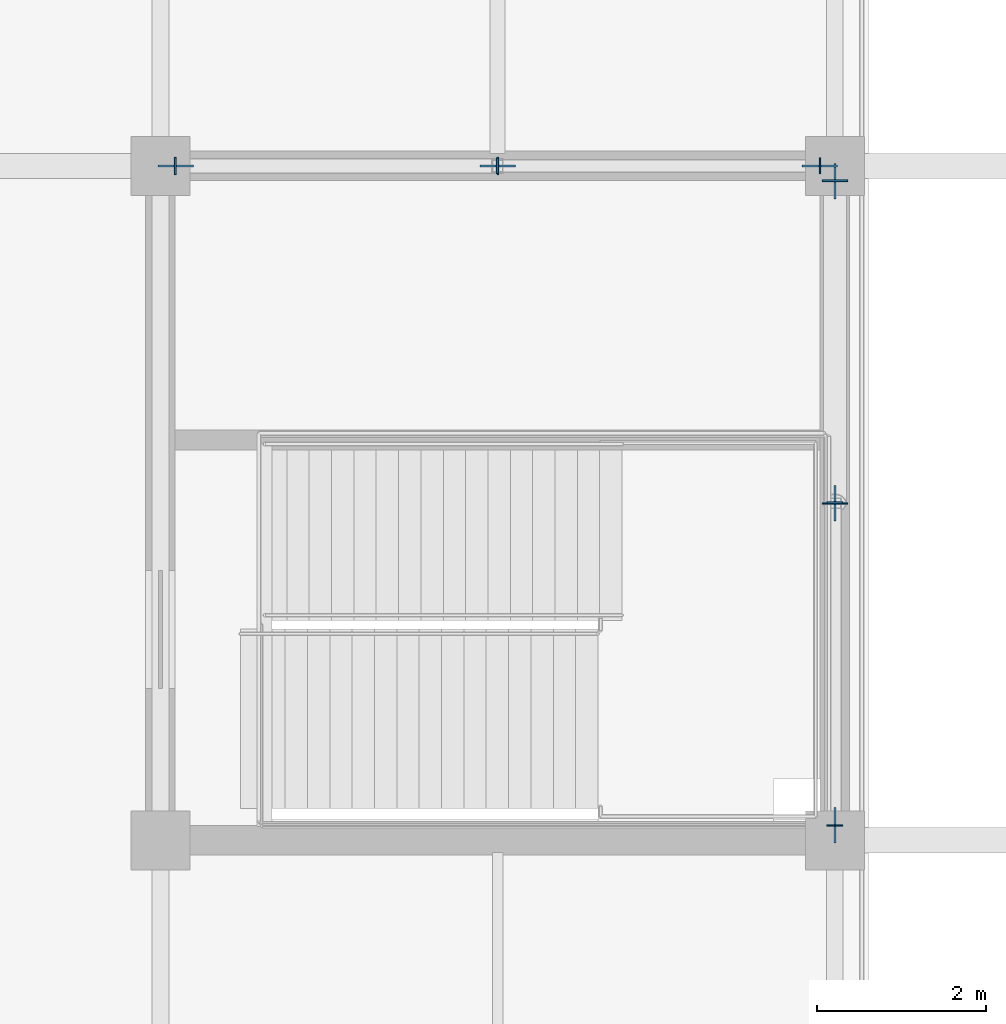
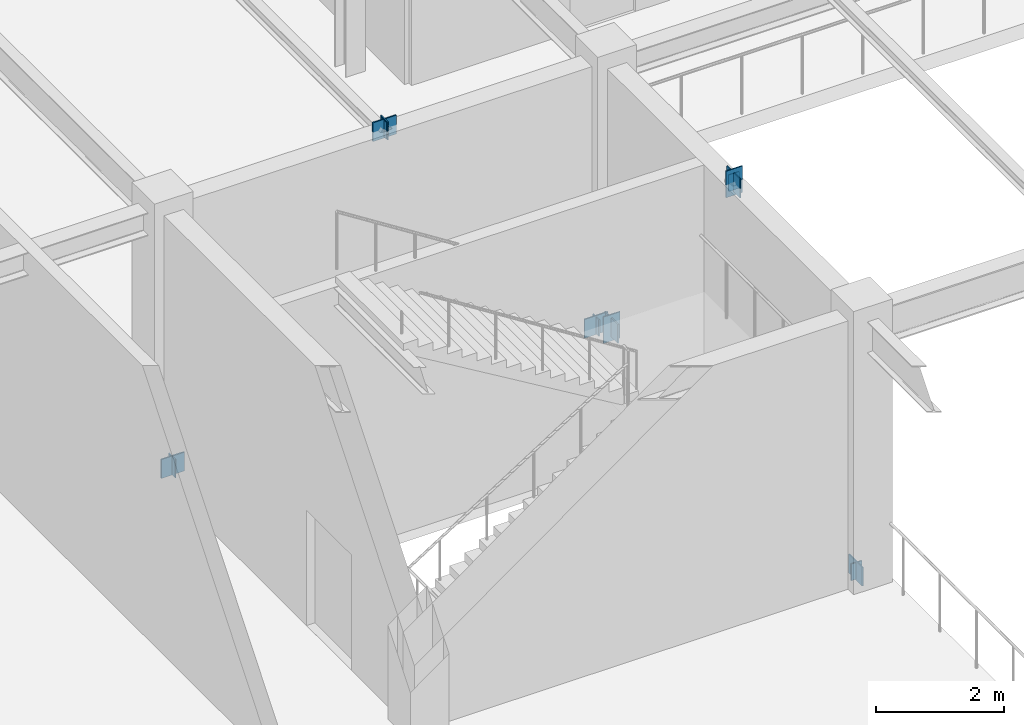
# One storey, part 157 of 184: 14 plates.
"""IFC4 building model written with IfcOpenShell, lengths in metres."""

from ifc_helpers import new_model, si_unit, direction, frame, origin, origin_2d, place, context, subcontext, project, spatial, rectangle, extrude, material, layer, layer_set, type_object, element, save


model = new_model("IFC4")

# Units and contexts
model_context = context("Model", 3, precision=1e-05, world=origin(), true_north=direction((0.0, 1.0)))
body_context = subcontext(model_context, "Body", "Model", "MODEL_VIEW")
ifc_project = project(units=[si_unit("LENGTHUNIT", "METRE"), si_unit("AREAUNIT", "SQUARE_METRE"), si_unit("VOLUMEUNIT", "CUBIC_METRE"), si_unit("PLANEANGLEUNIT", "RADIAN"), si_unit("MASSUNIT", "GRAM", prefix="KILO")], contexts=[model_context])

# Site, building, storey
site_placement = place(None, origin())
site = spatial("IfcSite", under=ifc_project, at=site_placement, CompositionType="ELEMENT")
building_placement = place(site_placement, origin())
building = spatial("IfcBuilding", under=site, at=building_placement, Name="Zhaolan Boulevard Law Courts", CompositionType="ELEMENT")
storey_placement = place(building_placement, frame((0.0, 0.0, 5.39990234375)))
storey = spatial("IfcBuildingStorey", under=building, at=storey_placement, Name="L01", CompositionType="ELEMENT", Elevation=5.39990234375)

# Plates
ifc_material_1 = material(Name="Structural steel Q355B", Category="steel")
ifc_layer_1 = layer(ifc_material_1, 0.02392578125)
ifc_layer_set_1 = layer_set([ifc_layer_1])
plate_type_1 = type_object("IfcPlateType", Name="BRACE GUSSET PLATE 24", PredefinedType="SHEET", material=ifc_layer_set_1)
for number, where, z_axis, x_axis, name in (
    (1, (140.179931640625, 78.0, -0.14990234375), (0.0, 0.0, 1.0), (1.0, 0.0, 0.0), "Brace Gusset Connection Plate GP-T2-L01-NA1"),
    (2, (147.820068359375, 78.0, -0.14990234375), (0.0, 0.0, 1.0), (1.0, 0.0, 0.0), "Brace Gusset Connection Plate GP-T2-L01-NA2"),
    (3, (144.0, 78.0, 4.93994140625), (0.0, 0.0, 1.0), (1.0, 0.0, 0.0), "Brace Gusset Connection Plate GP-T2-L01-NAPX"),
    (4, (148.0, 70.179931640625, -0.14990234375), (0.0, 0.0, 1.0), (0.0, 1.0, 0.0), "Brace Gusset Connection Plate GP-T2-L01-EA1"),
    (5, (148.0, 77.820068359375, -0.14990234375), (0.0, 0.0, 1.0), (0.0, 1.0, 0.0), "Brace Gusset Connection Plate GP-T2-L01-EA2"),
    (6, (148.0, 74.0, 4.93994140625), (0.0, 0.0, 1.0), (0.0, 1.0, 0.0), "Brace Gusset Connection Plate GP-T2-L01-EAPX"),
):
    element("IfcPlate", number, at=place(storey_placement, frame(where, z_axis=z_axis, x_axis=x_axis)), inside=storey, type_object=plate_type_1, Name=name, PredefinedType="SHEET", context=body_context, shape_type="SweptSolid", body=[
        extrude(rectangle(XDim=0.419921875, YDim=0.02392578125, at=origin_2d()), origin(), (0.0, 0.0, 1.0), 0.360107421875),
    ])
ifc_material_2 = material(Name="Structural steel Q355B", Category="steel")
ifc_layer_2 = layer(ifc_material_2, 0.02001953125)
ifc_layer_set_2 = layer_set([ifc_layer_2])
plate_type_2 = type_object("IfcPlateType", Name="END CAP PLATE 20", PredefinedType="SHEET", material=ifc_layer_set_2)
for number, where, z_axis, x_axis, name in (
    (7, (140.17529296875, 78.0, -0.1513671875), (0.0, 0.0, 1.0), (1.0, 0.0, 0.0), "Hollow Section End-Cap Plate ECP-1319"),
    (8, (144.0048828125, 78.0, 4.951416015625), (0.0, 0.0, 1.0), (1.0, 0.0, 0.0), "Hollow Section End-Cap Plate ECP-1320"),
):
    element("IfcPlate", number, at=place(storey_placement, frame(where, z_axis=z_axis, x_axis=x_axis)), inside=storey, type_object=plate_type_2, Name=name, PredefinedType="SHEET", context=body_context, shape_type="SweptSolid", body=[
        extrude(rectangle(XDim=0.02001953125, YDim=0.2099609375, at=origin_2d()), origin(), (0.0, 0.0, 1.0), 0.35009765625),
    ])
for number, where, z_axis, x_axis, name in (
    (9, (147.82470703125, 78.0, -0.134765625), (0.0, 0.0, 1.0), (-1.0, 0.0, 0.0), "Hollow Section End-Cap Plate ECP-1321"),
    (10, (143.9951171875, 78.0, 4.968017578125), (0.0, 0.0, 1.0), (-1.0, 0.0, 0.0), "Hollow Section End-Cap Plate ECP-1322"),
    (11, (148.0, 70.17529296875, -0.134765625), (0.0, 0.0, 1.0), (0.0, 1.0, 0.0), "Hollow Section End-Cap Plate ECP-1323"),
    (12, (148.0, 74.0048828125, 4.968017578125), (0.0, 0.0, 1.0), (0.0, 1.0, 0.0), "Hollow Section End-Cap Plate ECP-1324"),
):
    element("IfcPlate", number, at=place(storey_placement, frame(where, z_axis=z_axis, x_axis=x_axis)), inside=storey, type_object=plate_type_2, Name=name, PredefinedType="SHEET", context=body_context, shape_type="SweptSolid", body=[
        extrude(rectangle(XDim=0.02001953125, YDim=0.18994140625, at=origin_2d()), origin(), (0.0, 0.0, 1.0), 0.31689453125),
    ])
for number, where, z_axis, x_axis, name in (
    (13, (148.0, 77.82470703125, -0.228759765625), (0.0, 0.0, 1.0), (0.0, -1.0, 0.0), "Hollow Section End-Cap Plate ECP-1325"),
    (14, (148.0, 73.9951171875, 4.8740234375), (0.0, 0.0, 1.0), (0.0, -1.0, 0.0), "Hollow Section End-Cap Plate ECP-1326"),
):
    element("IfcPlate", number, at=place(storey_placement, frame(where, z_axis=z_axis, x_axis=x_axis)), inside=storey, type_object=plate_type_2, Name=name, PredefinedType="SHEET", context=body_context, shape_type="SweptSolid", body=[
        extrude(rectangle(XDim=0.02001953125, YDim=0.302978515625, at=origin_2d()), origin(), (0.0, 0.0, 1.0), 0.5048828125),
    ])

save(model, "model.ifc")
